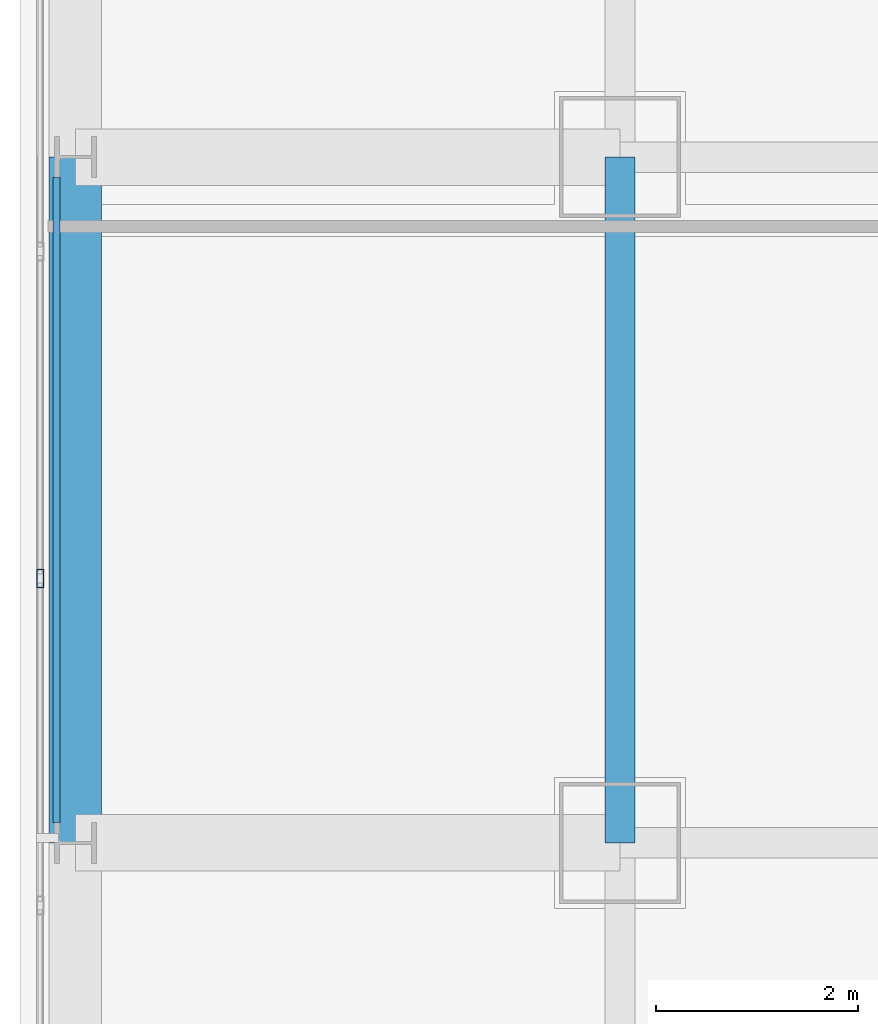
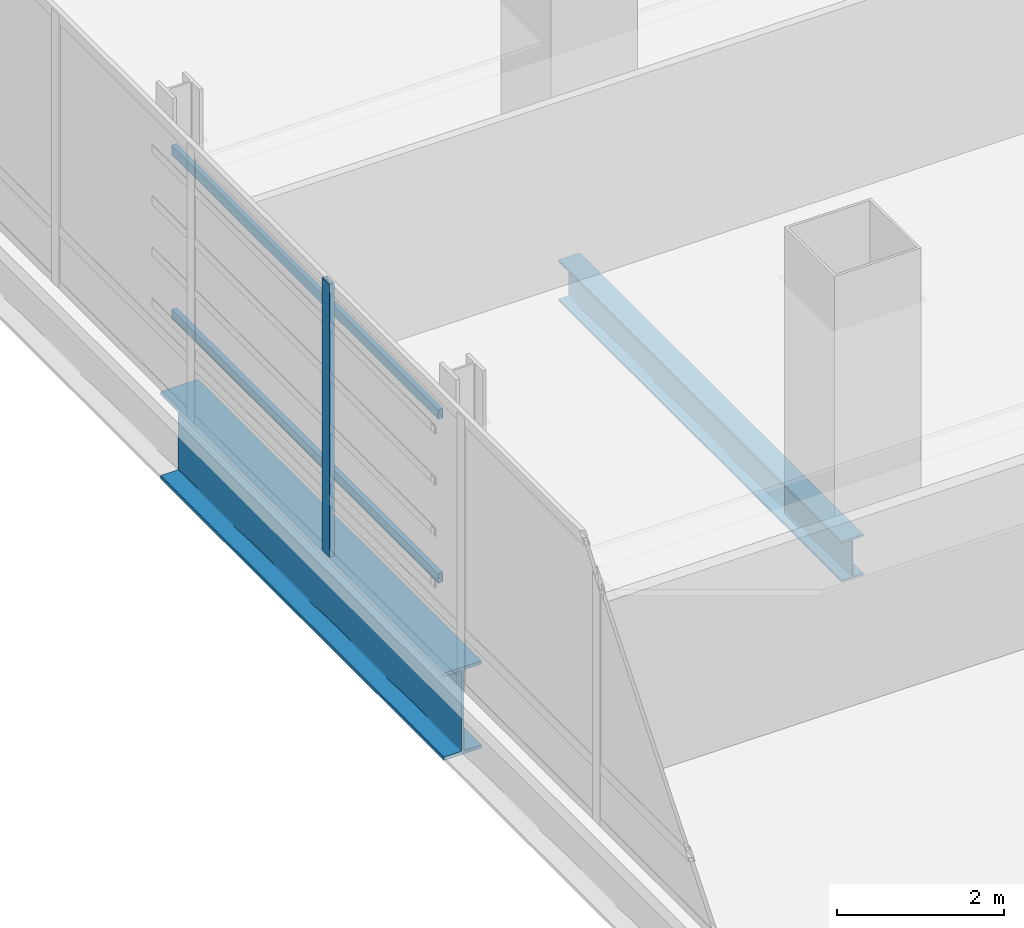
# One storey, part 12 of 43: 3 members, 2 beams, 1 element without a shape of its own.
"""IFC4 building model written with IfcOpenShell, lengths in metres."""

from ifc_helpers import new_model, si_unit, direction, frame, origin, origin_2d, place, context, subcontext, project, spatial, hollow_rectangle, i_section, extrude, material, material_profile, profile_set, type_object, element, aggregate, save


model = new_model("IFC4")

# Units and contexts
model_context = context("Model", 3, precision=1e-05, world=origin(), true_north=direction((0.0, 1.0)))
body_context = subcontext(model_context, "Body", "Model", "MODEL_VIEW")
ifc_project = project(units=[si_unit("LENGTHUNIT", "METRE"), si_unit("AREAUNIT", "SQUARE_METRE"), si_unit("VOLUMEUNIT", "CUBIC_METRE"), si_unit("PLANEANGLEUNIT", "RADIAN"), si_unit("MASSUNIT", "GRAM", prefix="KILO")], contexts=[model_context])

# Site, building, storey
site_placement = place(None, origin())
site = spatial("IfcSite", under=ifc_project, at=site_placement, CompositionType="ELEMENT")
building_placement = place(site_placement, origin())
building = spatial("IfcBuilding", under=site, at=building_placement, Name="Punatoya Terracotta Tower", CompositionType="ELEMENT")
storey_placement = place(building_placement, frame((0.0, 0.0, 321.60009765625)))
storey = spatial("IfcBuildingStorey", under=building, at=storey_placement, Name="L76", CompositionType="ELEMENT", Elevation=321.60009765625)

# Beams
ifc_material_1 = material(Name="Steel S355", Category="steel")
ifc_material_profile_1 = material_profile(ifc_material_1, i_section(OverallWidth=0.300048828125, OverallDepth=0.60009765625, WebThickness=0.015380859375, FlangeThickness=0.030029296875, FilletRadius=0.01806640625, at=origin_2d()))
ifc_profile_set_1 = profile_set([ifc_material_profile_1], Name="Steel S355")
beam_type_1 = type_object("IfcBeamType", Name="BM-PRI-600", PredefinedType="BEAM", material=ifc_profile_set_1)
beam_1_placement = place(storey_placement, frame((-19.10009765625, -3.39990234375, -0.5), z_axis=(0.0, 1.0, 0.0), x_axis=(-1.0, 0.0, 0.0)))
element("IfcBeam", 1, at=beam_1_placement, inside=storey, type_object=beam_type_1, Name="BM-L76-RG-W2", PredefinedType="BEAM", context=body_context, shape_type="SweptSolid", body=[
    extrude(i_section(OverallWidth=0.300048828125, OverallDepth=0.60009765625, WebThickness=0.015380859375, FlangeThickness=0.030029296875, FilletRadius=0.01806640625, at=origin_2d()), origin(), (0.0, 0.0, 1.0), 6.7998046875),
])
ifc_material_2 = material(Name="Steel S460", Category="steel")
ifc_material_profile_2 = material_profile(ifc_material_2, i_section(OverallWidth=0.52001953125, OverallDepth=1.280029296875, WebThickness=0.031982421875, FlangeThickness=0.050048828125, FilletRadius=0.01806640625, at=origin_2d()))
ifc_profile_set_2 = profile_set([ifc_material_profile_2], Name="Steel S460")
beam_type_2 = type_object("IfcBeamType", Name="BM-TG-NCK", PredefinedType="BEAM", material=ifc_profile_set_2)
beam_2_placement = place(storey_placement, frame((-24.5, -3.39990234375, -0.840087890625), z_axis=(0.0, 1.0, 0.0), x_axis=(-1.0, 0.0, 0.0)))
element("IfcBeam", 2, at=beam_2_placement, inside=storey, type_object=beam_type_2, Name="BM-L76-PER-W2", PredefinedType="BEAM", context=body_context, shape_type="SweptSolid", body=[
    extrude(i_section(OverallWidth=0.52001953125, OverallDepth=1.280029296875, WebThickness=0.031982421875, FlangeThickness=0.050048828125, FilletRadius=0.01806640625, at=origin_2d()), origin(), (0.0, 0.0, 1.0), 6.7998046875),
])

# Curtain wall, member
ifc_material_3 = material(Name="Aluminium 6063-T6 + Double Low-E Glass", Category="aluminium")
curtain_wall_type = type_object("IfcCurtainWallType", Name="CW-OBS", PredefinedType="NOTDEFINED", material=ifc_material_3)
curtain_wall_placement = place(storey_placement, origin())
curtain_wall = element("IfcCurtainWall", 3, at=curtain_wall_placement, inside=storey, type_object=curtain_wall_type, Name="L76 Curtain Wall CW-L76-W13-1", PredefinedType="NOTDEFINED")
ifc_material_4 = material(Name="Aluminium 6063-T6", Category="aluminium")
ifc_material_profile_3 = material_profile(ifc_material_4, hollow_rectangle(XDim=0.070068359375, YDim=0.179931640625, WallThickness=0.00390625, at=origin_2d()))
ifc_profile_set_3 = profile_set([ifc_material_profile_3], Name="Aluminium 6063-T6")
member_type_1 = type_object("IfcMemberType", Name="CW-MUL-M3", PredefinedType="MULLION", material=ifc_profile_set_3)
member_placement = place(storey_placement, frame((-24.85009765625, -0.778564453125, 0.0), z_axis=(0.0, 0.0, 1.0), x_axis=(1.0, 0.0, 0.0)))
member = element("IfcMember", 4, at=member_placement, type_object=member_type_1, Name="CW-L76-W13-1 Mullion 05", PredefinedType="MULLION", context=body_context, shape_type="SweptSolid", body=[
    extrude(hollow_rectangle(XDim=0.070068359375, YDim=0.179931640625, WallThickness=0.00390625, at=origin_2d()), origin(), (0.0, 0.0, 1.0), 4.0),
])
aggregate(curtain_wall, [member])

# Members
ifc_material_profile_4 = material_profile(ifc_material_1, hollow_rectangle(XDim=0.070068359375, YDim=0.139892578125, WallThickness=0.006103515625, at=origin_2d()))
ifc_profile_set_4 = profile_set([ifc_material_profile_4], Name="Steel S355")
member_type_2 = type_object("IfcMemberType", Name="MEM-BAG-RAIL", PredefinedType="USERDEFINED", material=ifc_profile_set_4)
for number, where, z_axis, x_axis, name in (
    (5, (-24.68994140625, -3.197509765625, 1.0498046875), (0.0, 1.0, 0.0), (-1.0, 0.0, 0.0), "L76 Terracotta Baguette Carrier Rail BAG-L76-W-R1"),
    (6, (-24.68994140625, -3.197509765625, 3.449951171875), (0.0, 1.0, 0.0), (-1.0, 0.0, 0.0), "L76 Terracotta Baguette Carrier Rail BAG-L76-W-R2"),
):
    element("IfcMember", number, at=place(storey_placement, frame(where, z_axis=z_axis, x_axis=x_axis)), inside=storey, type_object=member_type_2, Name=name, ObjectType="BAGUETTE", PredefinedType="USERDEFINED", context=body_context, shape_type="SweptSolid", body=[
        extrude(hollow_rectangle(XDim=0.070068359375, YDim=0.139892578125, WallThickness=0.006103515625, at=origin_2d()), origin(), (0.0, 0.0, 1.0), 6.39501953125),
    ])

save(model, "model.ifc")
